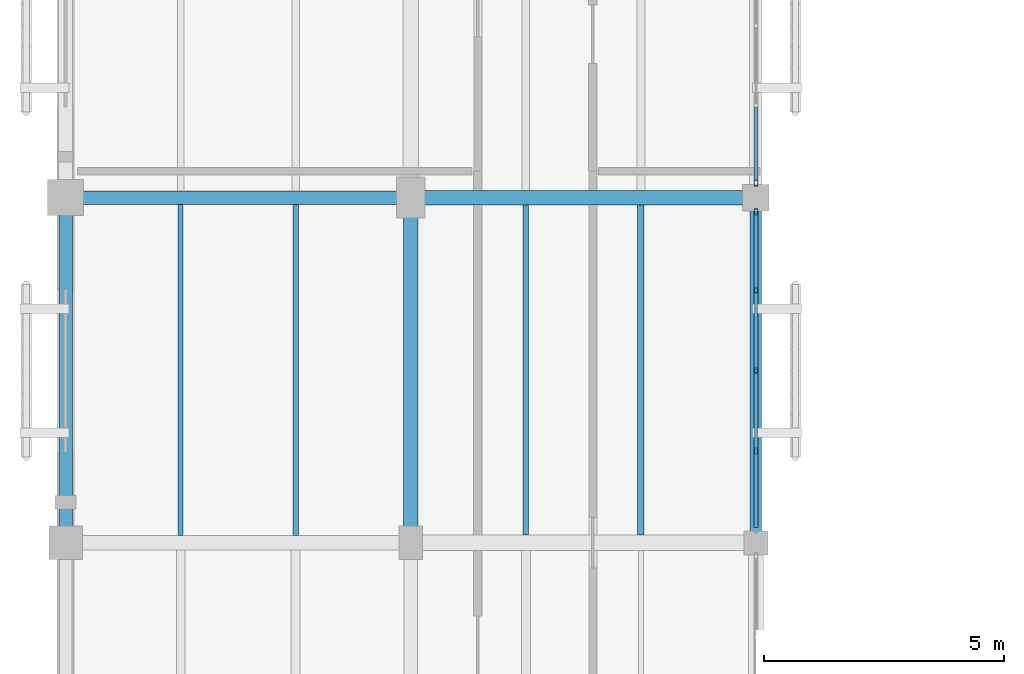
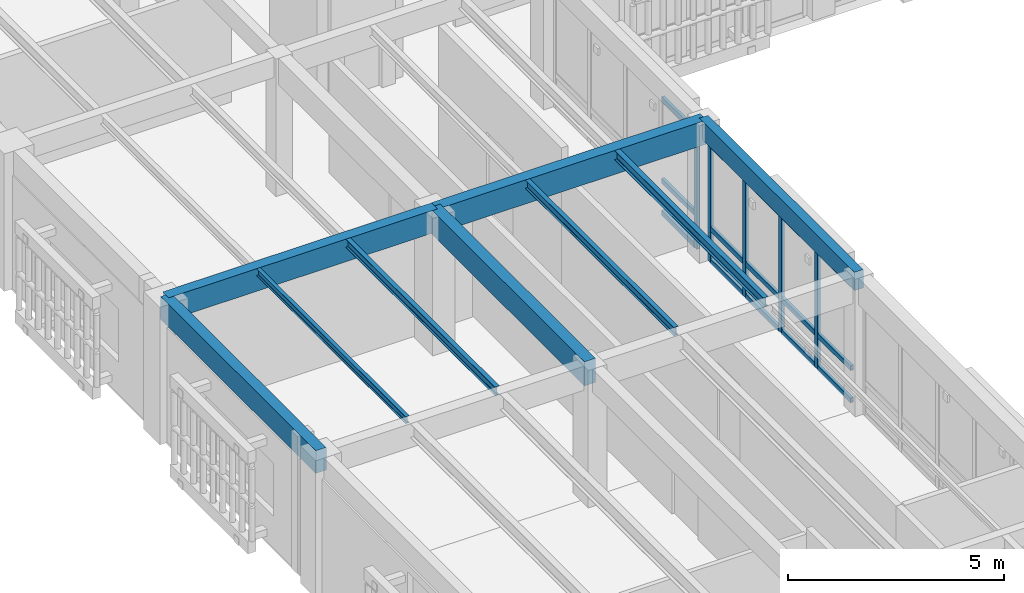
# One storey, part 35 of 170: 20 members, 9 beams, 2 elements without a shape of their own.
"""IFC4 building model written with IfcOpenShell, lengths in metres."""

from ifc_helpers import new_model, si_unit, direction, frame, origin, origin_2d, place, context, subcontext, project, spatial, rectangle, hollow_rectangle, i_section, extrude, material, layer, layer_set, material_profile, profile_set, type_object, element, aggregate, save


model = new_model("IFC4")

# Units and contexts
model_context = context("Model", 3, precision=1e-05, world=origin(), true_north=direction((0.0, 1.0)))
body_context = subcontext(model_context, "Body", "Model", "MODEL_VIEW")
ifc_project = project(units=[si_unit("LENGTHUNIT", "METRE"), si_unit("AREAUNIT", "SQUARE_METRE"), si_unit("VOLUMEUNIT", "CUBIC_METRE"), si_unit("PLANEANGLEUNIT", "RADIAN"), si_unit("MASSUNIT", "GRAM", prefix="KILO")], contexts=[model_context])

# Site, building, storey
site_placement = place(None, origin())
site = spatial("IfcSite", under=ifc_project, at=site_placement, CompositionType="ELEMENT")
building_placement = place(site_placement, origin())
building = spatial("IfcBuilding", under=site, at=building_placement, Name="Mazaris Harbour Polytechnic", CompositionType="ELEMENT")
storey_placement = place(building_placement, frame((0.0, 0.0, 5.39990234375)))
storey = spatial("IfcBuildingStorey", under=building, at=storey_placement, Name="L01", CompositionType="ELEMENT", Elevation=5.39990234375)

# Curtain wall, members
ifc_material_1 = material(Name="Anodised Bronze Aluminium and Low-E Glass", Category="aluminium")
ifc_layer = layer(ifc_material_1, 0.159912109375, Name="Anodised Bronze Aluminium and Low-E Glass")
ifc_layer_set = layer_set([ifc_layer], Name="Anodised Bronze Aluminium and Low-E Glass")
curtain_wall_type = type_object("IfcCurtainWallType", Name="Cloister Court Curtain Wall", PredefinedType="NOTDEFINED", material=ifc_layer_set)
curtain_wall_1_placement = place(storey_placement, origin())
curtain_wall_1 = element("IfcCurtainWall", 1, at=curtain_wall_1_placement, inside=storey, type_object=curtain_wall_type, Name="V4 L01 Curtain Wall 122", PredefinedType="NOTDEFINED")
ifc_material_2 = material(Name="Anodised Bronze Steel S355", Category="steel")
ifc_material_profile_1 = material_profile(ifc_material_2, hollow_rectangle(XDim=0.080078125, YDim=0.139892578125, WallThickness=0.00634765625, at=origin_2d()), Name="RHS 80x140x6.3")
ifc_profile_set_1 = profile_set([ifc_material_profile_1], Name="Anodised Bronze Steel S355")
member_type_1 = type_object("IfcMemberType", Name="Curtain Mullion RHS80x140", PredefinedType="MULLION", material=ifc_profile_set_1)
member_1_placement = place(storey_placement, frame((14.39990234375, 55.914794921875, 0.0), z_axis=(0.0, 0.0, 1.0), x_axis=(-1.0, 0.0, 0.0)))
member_1 = element("IfcMember", 2, at=member_1_placement, type_object=member_type_1, Name="CW-02 mullion 2", PredefinedType="MULLION", context=body_context, shape_type="SweptSolid", body=[
    extrude(hollow_rectangle(XDim=0.080078125, YDim=0.139892578125, WallThickness=0.00634765625, at=origin_2d()), origin(), (0.0, 0.0, 1.0), 3.360107421875),
])
member_2_placement = place(storey_placement, frame((14.39990234375, 57.58740234375, 0.0), z_axis=(0.0, 0.0, 1.0), x_axis=(-1.0, 0.0, 0.0)))
member_2 = element("IfcMember", 3, at=member_2_placement, type_object=member_type_1, Name="CW-02 mullion 3", PredefinedType="MULLION", context=body_context, shape_type="SweptSolid", body=[
    extrude(hollow_rectangle(XDim=0.080078125, YDim=0.139892578125, WallThickness=0.00634765625, at=origin_2d()), origin(), (0.0, 0.0, 1.0), 3.360107421875),
])
member_3_placement = place(storey_placement, frame((14.39990234375, 59.26025390625, 0.0), z_axis=(0.0, 0.0, 1.0), x_axis=(-1.0, 0.0, 0.0)))
member_3 = element("IfcMember", 4, at=member_3_placement, type_object=member_type_1, Name="CW-02 mullion 4", PredefinedType="MULLION", context=body_context, shape_type="SweptSolid", body=[
    extrude(hollow_rectangle(XDim=0.080078125, YDim=0.139892578125, WallThickness=0.00634765625, at=origin_2d()), origin(), (0.0, 0.0, 1.0), 3.360107421875),
])
member_4_placement = place(storey_placement, frame((14.39990234375, 60.89306640625, 0.0), z_axis=(0.0, 0.0, 1.0), x_axis=(-1.0, 0.0, 0.0)))
member_4 = element("IfcMember", 5, at=member_4_placement, type_object=member_type_1, Name="CW-02 mullion 5", PredefinedType="MULLION", context=body_context, shape_type="SweptSolid", body=[
    extrude(hollow_rectangle(XDim=0.080078125, YDim=0.139892578125, WallThickness=0.00634765625, at=origin_2d()), origin(), (0.0, 0.0, 1.0), 3.360107421875),
])

# Curtain wall, member
curtain_wall_2_placement = place(storey_placement, origin())
curtain_wall_2 = element("IfcCurtainWall", 6, at=curtain_wall_2_placement, inside=storey, type_object=curtain_wall_type, Name="V4 L01 Curtain Wall 123", PredefinedType="NOTDEFINED")
member_5_placement = place(storey_placement, frame((14.39990234375, 61.507080078125, 0.0), z_axis=(0.0, 0.0, 1.0), x_axis=(-1.0, 0.0, 0.0)))
member_5 = element("IfcMember", 7, at=member_5_placement, type_object=member_type_1, Name="CW-02 mullion 1", PredefinedType="MULLION", context=body_context, shape_type="SweptSolid", body=[
    extrude(hollow_rectangle(XDim=0.080078125, YDim=0.139892578125, WallThickness=0.00634765625, at=origin_2d()), origin(), (0.0, 0.0, 1.0), 3.300048828125),
])

# Member
ifc_material_3 = material(Name="Anodised Bronze Steel S355", Category="steel")
ifc_material_profile_2 = material_profile(ifc_material_3, hollow_rectangle(XDim=0.080078125, YDim=0.139892578125, WallThickness=0.00634765625, at=origin_2d()), Name="RHS 80x140x6.3")
ifc_profile_set_2 = profile_set([ifc_material_profile_2], Name="Anodised Bronze Steel S355")
member_type_2 = type_object("IfcMemberType", Name="Curtain Transom RHS80x140", PredefinedType="USERDEFINED", material=ifc_profile_set_2)
member_6_placement = place(storey_placement, frame((14.39990234375, 54.322021484375, 0.0400390625), z_axis=(0.0, 1.0, 0.0), x_axis=(-1.0, 0.0, 0.0)))
member_6 = element("IfcMember", 8, at=member_6_placement, type_object=member_type_2, Name="CW-02 transom 1.1", ObjectType="TRANSOM", PredefinedType="USERDEFINED", context=body_context, shape_type="SweptSolid", body=[
    extrude(hollow_rectangle(XDim=0.080078125, YDim=0.139892578125, WallThickness=0.00634765625, at=origin_2d()), origin(), (0.0, 0.0, 1.0), 1.552734375),
])

member_7_placement = place(storey_placement, frame((14.39990234375, 54.322021484375, 0.9501953125), z_axis=(0.0, 1.0, 0.0), x_axis=(-1.0, 0.0, 0.0)))
member_7 = element("IfcMember", 9, at=member_7_placement, type_object=member_type_2, Name="CW-02 transom 1.2", ObjectType="TRANSOM", PredefinedType="USERDEFINED", context=body_context, shape_type="SweptSolid", body=[
    extrude(hollow_rectangle(XDim=0.080078125, YDim=0.139892578125, WallThickness=0.00634765625, at=origin_2d()), origin(), (0.0, 0.0, 1.0), 1.552734375),
])

member_8_placement = place(storey_placement, frame((14.39990234375, 54.322021484375, 3.320068359375), z_axis=(0.0, 1.0, 0.0), x_axis=(-1.0, 0.0, 0.0)))
member_8 = element("IfcMember", 10, at=member_8_placement, type_object=member_type_2, Name="CW-02 transom 1.3", ObjectType="TRANSOM", PredefinedType="USERDEFINED", context=body_context, shape_type="SweptSolid", body=[
    extrude(hollow_rectangle(XDim=0.080078125, YDim=0.139892578125, WallThickness=0.00634765625, at=origin_2d()), origin(), (0.0, 0.0, 1.0), 1.552734375),
])

member_9_placement = place(storey_placement, frame((14.39990234375, 55.954833984375, 0.0400390625), z_axis=(0.0, 1.0, 0.0), x_axis=(-1.0, 0.0, 0.0)))
member_9 = element("IfcMember", 11, at=member_9_placement, type_object=member_type_2, Name="CW-02 transom 2.1", ObjectType="TRANSOM", PredefinedType="USERDEFINED", context=body_context, shape_type="SweptSolid", body=[
    extrude(hollow_rectangle(XDim=0.080078125, YDim=0.139892578125, WallThickness=0.00634765625, at=origin_2d()), origin(), (0.0, 0.0, 1.0), 1.5927734375),
])

member_10_placement = place(storey_placement, frame((14.39990234375, 55.954833984375, 0.9501953125), z_axis=(0.0, 1.0, 0.0), x_axis=(-1.0, 0.0, 0.0)))
member_10 = element("IfcMember", 12, at=member_10_placement, type_object=member_type_2, Name="CW-02 transom 2.2", ObjectType="TRANSOM", PredefinedType="USERDEFINED", context=body_context, shape_type="SweptSolid", body=[
    extrude(hollow_rectangle(XDim=0.080078125, YDim=0.139892578125, WallThickness=0.00634765625, at=origin_2d()), origin(), (0.0, 0.0, 1.0), 1.5927734375),
])

member_11_placement = place(storey_placement, frame((14.39990234375, 55.954833984375, 3.320068359375), z_axis=(0.0, 1.0, 0.0), x_axis=(-1.0, 0.0, 0.0)))
member_11 = element("IfcMember", 13, at=member_11_placement, type_object=member_type_2, Name="CW-02 transom 2.3", ObjectType="TRANSOM", PredefinedType="USERDEFINED", context=body_context, shape_type="SweptSolid", body=[
    extrude(hollow_rectangle(XDim=0.080078125, YDim=0.139892578125, WallThickness=0.00634765625, at=origin_2d()), origin(), (0.0, 0.0, 1.0), 1.5927734375),
])

member_12_placement = place(storey_placement, frame((14.39990234375, 57.62744140625, 0.0400390625), z_axis=(0.0, 1.0, 0.0), x_axis=(-1.0, 0.0, 0.0)))
member_12 = element("IfcMember", 14, at=member_12_placement, type_object=member_type_2, Name="CW-02 transom 3.1", ObjectType="TRANSOM", PredefinedType="USERDEFINED", context=body_context, shape_type="SweptSolid", body=[
    extrude(hollow_rectangle(XDim=0.080078125, YDim=0.139892578125, WallThickness=0.00634765625, at=origin_2d()), origin(), (0.0, 0.0, 1.0), 1.5927734375),
])

member_13_placement = place(storey_placement, frame((14.39990234375, 57.62744140625, 0.9501953125), z_axis=(0.0, 1.0, 0.0), x_axis=(-1.0, 0.0, 0.0)))
member_13 = element("IfcMember", 15, at=member_13_placement, type_object=member_type_2, Name="CW-02 transom 3.2", ObjectType="TRANSOM", PredefinedType="USERDEFINED", context=body_context, shape_type="SweptSolid", body=[
    extrude(hollow_rectangle(XDim=0.080078125, YDim=0.139892578125, WallThickness=0.00634765625, at=origin_2d()), origin(), (0.0, 0.0, 1.0), 1.5927734375),
])

member_14_placement = place(storey_placement, frame((14.39990234375, 57.62744140625, 3.320068359375), z_axis=(0.0, 1.0, 0.0), x_axis=(-1.0, 0.0, 0.0)))
member_14 = element("IfcMember", 16, at=member_14_placement, type_object=member_type_2, Name="CW-02 transom 3.3", ObjectType="TRANSOM", PredefinedType="USERDEFINED", context=body_context, shape_type="SweptSolid", body=[
    extrude(hollow_rectangle(XDim=0.080078125, YDim=0.139892578125, WallThickness=0.00634765625, at=origin_2d()), origin(), (0.0, 0.0, 1.0), 1.5927734375),
])

member_15_placement = place(storey_placement, frame((14.39990234375, 59.30029296875, 0.0400390625), z_axis=(0.0, 1.0, 0.0), x_axis=(-1.0, 0.0, 0.0)))
member_15 = element("IfcMember", 17, at=member_15_placement, type_object=member_type_2, Name="CW-02 transom 4.1", ObjectType="TRANSOM", PredefinedType="USERDEFINED", context=body_context, shape_type="SweptSolid", body=[
    extrude(hollow_rectangle(XDim=0.080078125, YDim=0.139892578125, WallThickness=0.00634765625, at=origin_2d()), origin(), (0.0, 0.0, 1.0), 1.552734375),
])

member_16_placement = place(storey_placement, frame((14.39990234375, 59.30029296875, 0.9501953125), z_axis=(0.0, 1.0, 0.0), x_axis=(-1.0, 0.0, 0.0)))
member_16 = element("IfcMember", 18, at=member_16_placement, type_object=member_type_2, Name="CW-02 transom 4.2", ObjectType="TRANSOM", PredefinedType="USERDEFINED", context=body_context, shape_type="SweptSolid", body=[
    extrude(hollow_rectangle(XDim=0.080078125, YDim=0.139892578125, WallThickness=0.00634765625, at=origin_2d()), origin(), (0.0, 0.0, 1.0), 1.552734375),
])

member_17_placement = place(storey_placement, frame((14.39990234375, 59.30029296875, 3.320068359375), z_axis=(0.0, 1.0, 0.0), x_axis=(-1.0, 0.0, 0.0)))
member_17 = element("IfcMember", 19, at=member_17_placement, type_object=member_type_2, Name="CW-02 transom 4.3", ObjectType="TRANSOM", PredefinedType="USERDEFINED", context=body_context, shape_type="SweptSolid", body=[
    extrude(hollow_rectangle(XDim=0.080078125, YDim=0.139892578125, WallThickness=0.00634765625, at=origin_2d()), origin(), (0.0, 0.0, 1.0), 1.552734375),
])

aggregate(curtain_wall_1, [member_1, member_2, member_3, member_4, member_6, member_7, member_8, member_9, member_10, member_11, member_12, member_13, member_14, member_15, member_16, member_17])

member_18_placement = place(storey_placement, frame((14.39990234375, 61.547119140625, 0.0400390625), z_axis=(0.0, 1.0, 0.0), x_axis=(-1.0, 0.0, 0.0)))
member_18 = element("IfcMember", 20, at=member_18_placement, type_object=member_type_2, Name="CW-02 transom 1.1", ObjectType="TRANSOM", PredefinedType="USERDEFINED", context=body_context, shape_type="SweptSolid", body=[
    extrude(hollow_rectangle(XDim=0.080078125, YDim=0.139892578125, WallThickness=0.00634765625, at=origin_2d()), origin(), (0.0, 0.0, 1.0), 1.5400390625),
])

member_19_placement = place(storey_placement, frame((14.39990234375, 61.547119140625, 0.9501953125), z_axis=(0.0, 1.0, 0.0), x_axis=(-1.0, 0.0, 0.0)))
member_19 = element("IfcMember", 21, at=member_19_placement, type_object=member_type_2, Name="CW-02 transom 1.2", ObjectType="TRANSOM", PredefinedType="USERDEFINED", context=body_context, shape_type="SweptSolid", body=[
    extrude(hollow_rectangle(XDim=0.080078125, YDim=0.139892578125, WallThickness=0.00634765625, at=origin_2d()), origin(), (0.0, 0.0, 1.0), 1.5400390625),
])

member_20_placement = place(storey_placement, frame((14.39990234375, 61.547119140625, 3.260009765625), z_axis=(0.0, 1.0, 0.0), x_axis=(-1.0, 0.0, 0.0)))
member_20 = element("IfcMember", 22, at=member_20_placement, type_object=member_type_2, Name="CW-02 transom 1.3", ObjectType="TRANSOM", PredefinedType="USERDEFINED", context=body_context, shape_type="SweptSolid", body=[
    extrude(hollow_rectangle(XDim=0.080078125, YDim=0.139892578125, WallThickness=0.00634765625, at=origin_2d()), origin(), (0.0, 0.0, 1.0), 1.5400390625),
])

aggregate(curtain_wall_2, [member_5, member_18, member_19, member_20])

# Beams
ifc_material_4 = material(Name="Glulam GL32h", Category="wood")
ifc_material_profile_3 = material_profile(ifc_material_4, rectangle(XDim=0.239990234375, YDim=0.52001953125, at=origin_2d()), Name="RECT240x520")
ifc_profile_set_3 = profile_set([ifc_material_profile_3], Name="Glulam GL32h")
beam_type_1 = type_object("IfcBeamType", Name="Glulam Girder 240x520", PredefinedType="BEAM", material=ifc_profile_set_3)
beam_1_placement = place(storey_placement, frame((14.39990234375, 54.0, 3.630126953125), z_axis=(0.0, 1.0, 0.0), x_axis=(-1.0, 0.0, 0.0)))
element("IfcBeam", 23, at=beam_1_placement, inside=storey, type_object=beam_type_1, Name="V4 L01 Tie Girder 1725", PredefinedType="BEAM", context=body_context, shape_type="SweptSolid", body=[
    extrude(rectangle(XDim=0.239990234375, YDim=0.52001953125, at=origin_2d()), origin(), (0.0, 0.0, 1.0), 7.199951171875),
])
ifc_material_5 = material(Name="Glulam GL32h", Category="wood")
ifc_material_profile_4 = material_profile(ifc_material_5, rectangle(XDim=0.280029296875, YDim=0.639892578125, at=origin_2d()), Name="RECT280x640")
ifc_profile_set_4 = profile_set([ifc_material_profile_4], Name="Glulam GL32h")
beam_type_2 = type_object("IfcBeamType", Name="Glulam Girder 280x640", PredefinedType="BEAM", material=ifc_profile_set_4)
beam_2_placement = place(storey_placement, frame((0.0, 61.199951171875, 3.570068359375), z_axis=(1.0, 0.0, 0.0), x_axis=(0.0, 1.0, 0.0)))
element("IfcBeam", 24, at=beam_2_placement, inside=storey, type_object=beam_type_2, Name="V4 L01 Girder 1662", PredefinedType="BEAM", context=body_context, shape_type="SweptSolid", body=[
    extrude(rectangle(XDim=0.280029296875, YDim=0.639892578125, at=origin_2d()), origin(), (0.0, 0.0, 1.0), 7.199951171875),
])
ifc_material_6 = material(Name="Glulam GL32h", Category="wood")
ifc_material_profile_5 = material_profile(ifc_material_6, rectangle(XDim=0.280029296875, YDim=0.639892578125, at=origin_2d()), Name="RECT280x640")
ifc_profile_set_5 = profile_set([ifc_material_profile_5], Name="Glulam GL32h")
beam_type_3 = type_object("IfcBeamType", Name="Glulam Girder 280x640 Exterior", PredefinedType="BEAM", material=ifc_profile_set_5)
beam_3_placement = place(storey_placement, frame((0.0, 54.0, 3.570068359375), z_axis=(0.0, 1.0, 0.0), x_axis=(-1.0, 0.0, 0.0)))
element("IfcBeam", 25, at=beam_3_placement, inside=storey, type_object=beam_type_3, Name="V4 L01 Tie Girder 1702", PredefinedType="BEAM", context=body_context, shape_type="SweptSolid", body=[
    extrude(rectangle(XDim=0.280029296875, YDim=0.639892578125, at=origin_2d()), origin(), (0.0, 0.0, 1.0), 7.199951171875),
])
ifc_material_7 = material(Name="Glulam GL32h", Category="wood")
ifc_material_profile_6 = material_profile(ifc_material_7, rectangle(XDim=0.300048828125, YDim=0.679931640625, at=origin_2d()), Name="RECT300x680")
ifc_profile_set_6 = profile_set([ifc_material_profile_6], Name="Glulam GL32h")
beam_type_4 = type_object("IfcBeamType", Name="Glulam Girder 300x680", PredefinedType="BEAM", material=ifc_profile_set_6)
for number, where, z_axis, x_axis, name in (
    (26, (7.199951171875, 61.199951171875, 3.550048828125), (1.0, 0.0, 0.0), (0.0, 1.0, 0.0), "V4 L01 Girder 1663"),
    (27, (7.199951171875, 54.0, 3.550048828125), (0.0, 1.0, 0.0), (-1.0, 0.0, 0.0), "V4 L01 Tie Girder 1713"),
):
    element("IfcBeam", number, at=place(storey_placement, frame(where, z_axis=z_axis, x_axis=x_axis)), inside=storey, type_object=beam_type_4, Name=name, PredefinedType="BEAM", context=body_context, shape_type="SweptSolid", body=[
        extrude(rectangle(XDim=0.300048828125, YDim=0.679931640625, at=origin_2d()), origin(), (0.0, 0.0, 1.0), 7.199951171875),
    ])
ifc_material_8 = material(Name="Steel S355", Category="steel")
ifc_material_profile_7 = material_profile(ifc_material_8, i_section(OverallWidth=0.10009765625, OverallDepth=0.199951171875, WebThickness=0.005615234375, FlangeThickness=0.008544921875, FilletRadius=0.011962890625, at=origin_2d()), Name="IPE 200")
ifc_profile_set_7 = profile_set([ifc_material_profile_7], Name="Steel S355")
beam_type_5 = type_object("IfcBeamType", Name="Steel Joist IPE200", PredefinedType="JOIST", material=ifc_profile_set_7)
beam_4_placement = place(storey_placement, frame((2.39990234375, 54.14990234375, 3.7900390625), z_axis=(0.0, 1.0, 0.0), x_axis=(-1.0, 0.0, 0.0)))
element("IfcBeam", 28, at=beam_4_placement, inside=storey, type_object=beam_type_5, Name="V4 L01 Floor Joist 1785", PredefinedType="JOIST", context=body_context, shape_type="SweptSolid", body=[
    extrude(i_section(OverallWidth=0.10009765625, OverallDepth=0.199951171875, WebThickness=0.005615234375, FlangeThickness=0.008544921875, FilletRadius=0.011962890625, at=origin_2d()), origin(), (0.0, 0.0, 1.0), 6.91015625),
])
ifc_material_9 = material(Name="Steel S355", Category="steel")
ifc_material_profile_8 = material_profile(ifc_material_9, i_section(OverallWidth=0.1201171875, OverallDepth=0.239990234375, WebThickness=0.006103515625, FlangeThickness=0.009765625, FilletRadius=0.014892578125, at=origin_2d()), Name="IPE 240")
ifc_profile_set_8 = profile_set([ifc_material_profile_8], Name="Steel S355")
beam_type_6 = type_object("IfcBeamType", Name="Steel Joist IPE240", PredefinedType="JOIST", material=ifc_profile_set_8)
beam_5_placement = place(storey_placement, frame((4.800048828125, 54.14990234375, 3.77001953125), z_axis=(0.0, 1.0, 0.0), x_axis=(-1.0, 0.0, 0.0)))
element("IfcBeam", 29, at=beam_5_placement, inside=storey, type_object=beam_type_6, Name="V4 L01 Floor Joist 1786", PredefinedType="JOIST", context=body_context, shape_type="SweptSolid", body=[
    extrude(i_section(OverallWidth=0.1201171875, OverallDepth=0.239990234375, WebThickness=0.006103515625, FlangeThickness=0.009765625, FilletRadius=0.014892578125, at=origin_2d()), origin(), (0.0, 0.0, 1.0), 6.91015625),
])
beam_6_placement = place(storey_placement, frame((9.60009765625, 54.159912109375, 3.77001953125), z_axis=(0.0, 1.0, 0.0), x_axis=(-1.0, 0.0, 0.0)))
element("IfcBeam", 30, at=beam_6_placement, inside=storey, type_object=beam_type_6, Name="V4 L01 Floor Joist 1807", PredefinedType="JOIST", context=body_context, shape_type="SweptSolid", body=[
    extrude(i_section(OverallWidth=0.1201171875, OverallDepth=0.239990234375, WebThickness=0.006103515625, FlangeThickness=0.009765625, FilletRadius=0.014892578125, at=origin_2d()), origin(), (0.0, 0.0, 1.0), 6.89013671875),
])
ifc_material_10 = material(Name="Steel S355", Category="steel")
ifc_material_profile_9 = material_profile(ifc_material_10, i_section(OverallWidth=0.135009765625, OverallDepth=0.27001953125, WebThickness=0.006591796875, FlangeThickness=0.01025390625, FilletRadius=0.014892578125, at=origin_2d()), Name="IPE 270")
ifc_profile_set_9 = profile_set([ifc_material_profile_9], Name="Steel S355")
beam_type_7 = type_object("IfcBeamType", Name="Steel Joist IPE270", PredefinedType="JOIST", material=ifc_profile_set_9)
beam_7_placement = place(storey_placement, frame((12.0, 54.159912109375, 3.755126953125), z_axis=(0.0, 1.0, 0.0), x_axis=(-1.0, 0.0, 0.0)))
element("IfcBeam", 31, at=beam_7_placement, inside=storey, type_object=beam_type_7, Name="V4 L01 Floor Joist 1808", PredefinedType="JOIST", context=body_context, shape_type="SweptSolid", body=[
    extrude(i_section(OverallWidth=0.135009765625, OverallDepth=0.27001953125, WebThickness=0.006591796875, FlangeThickness=0.01025390625, FilletRadius=0.014892578125, at=origin_2d()), origin(), (0.0, 0.0, 1.0), 6.89013671875),
])

save(model, "model.ifc")
